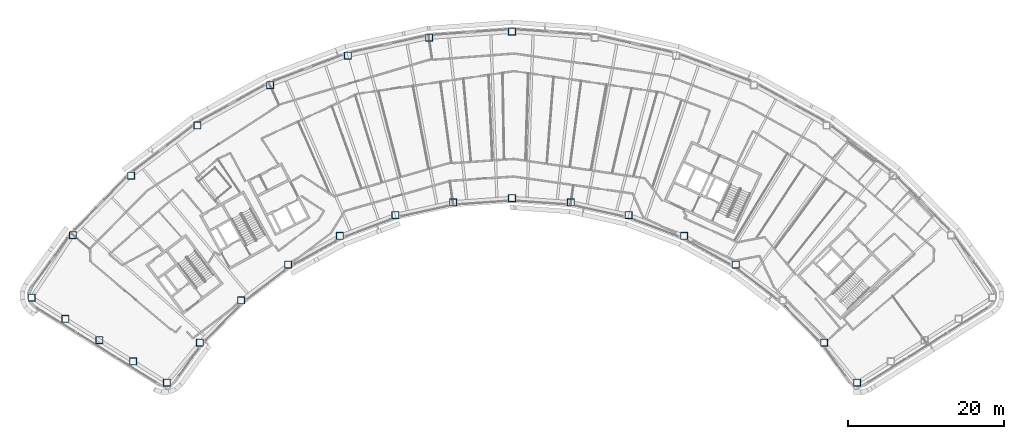
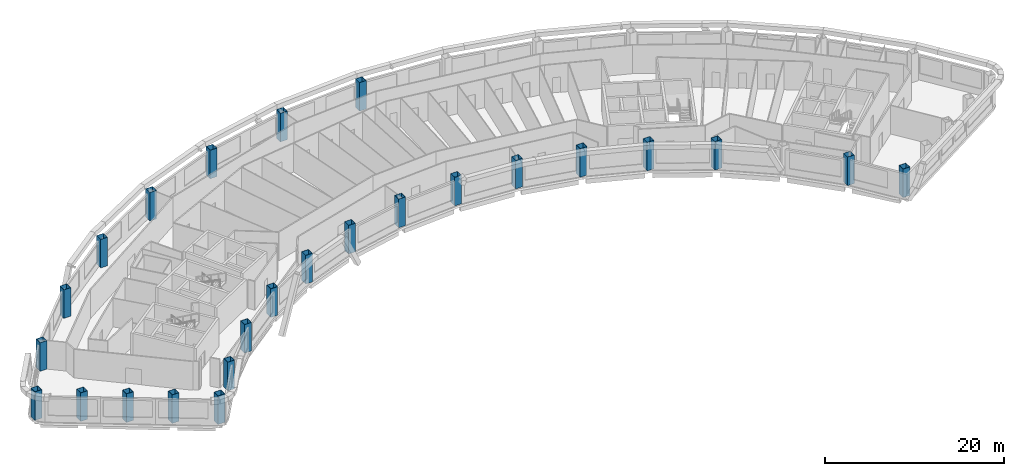
# One storey, part 1 of 17: 25 columns.
"""IFC4 building model written with IfcOpenShell, lengths in metres."""

import ifcopenshell
import ifcopenshell.guid

model = None  # the IFC model being written
_history = None  # IfcOwnerHistory: only IFC2X3 demands one
_inside = {}  # id of a spatial element -> (the spatial element, [elements in it])
_under = {}  # id of a project, library or spatial element -> (it, [spatial elements below it])
_declared = {}  # id of a project -> (the project, [libraries it declares])
_typed = {}  # id of a type object -> (the type object, [elements of that type])
_made_of = {}  # id of a material, layer set ... -> (it, [elements and type objects made of it])


def new_model(schema):
    """Start an empty IFC model of exactly this schema.

    Asked for "IFC4X3", IfcOpenShell would pick the latest addendum, in which some entities
    have other attributes; the version numbers below select the first issue.
    IFC2X3 requires an IfcOwnerHistory on every rooted entity: one is made here for all.
    """
    global model, _history
    if schema == "IFC4X3":
        model = ifcopenshell.file(schema_version=(4, 3, 0, 0))
    else:
        model = ifcopenshell.file(schema=schema)
    _inside.clear()
    _under.clear()
    _declared.clear()
    _typed.clear()
    _made_of.clear()
    _history = None
    if model.schema == "IFC2X3":
        org = make("IfcOrganization", Name="unknown")
        user = make(
            "IfcPersonAndOrganization",
            ThePerson=make("IfcPerson", FamilyName="unknown"),
            TheOrganization=org,
        )
        app = make(
            "IfcApplication",
            ApplicationDeveloper=org,
            Version="unknown",
            ApplicationFullName="unknown",
            ApplicationIdentifier="unknown",
        )
        _history = make(
            "IfcOwnerHistory",
            OwningUser=user,
            OwningApplication=app,
            ChangeAction="ADDED",
            CreationDate=0,
        )
    return model


def make(cls, **values):
    """One entity of the class cls with the attributes given. An attribute that is None is left unset."""
    return model.create_entity(
        cls, **{name: value for name, value in values.items() if value is not None}
    )


def rooted(cls, **values):
    """An entity with a GlobalId (a new one), such as an element, a storey or a relation."""
    return make(cls, GlobalId=ifcopenshell.guid.new(), OwnerHistory=_history, **values)


def si_unit(unit_type, name, prefix=None):
    """IfcSIUnit, for example si_unit("LENGTHUNIT", "METRE", prefix="MILLI")."""
    return make("IfcSIUnit", UnitType=unit_type, Prefix=prefix, Name=name)


def assignment(units):
    """IfcUnitAssignment: the units of a project."""
    return None if units is None else make("IfcUnitAssignment", Units=units)


def point(xyz):
    """IfcCartesianPoint."""
    return None if xyz is None else make("IfcCartesianPoint", Coordinates=xyz)


def direction(xyz):
    """IfcDirection."""
    return None if xyz is None else make("IfcDirection", DirectionRatios=xyz)


def frame(location, z_axis=None, x_axis=None):
    """IfcAxis2Placement3D, a coordinate frame: its origin and axes. An axis left out is left unset."""
    return make(
        "IfcAxis2Placement3D",
        Location=point(location),
        Axis=direction(z_axis),
        RefDirection=direction(x_axis),
    )


def frame_2d(location, x_axis=None):
    """IfcAxis2Placement2D, a coordinate frame in the plane: its origin and x axis."""
    return make(
        "IfcAxis2Placement2D", Location=point(location), RefDirection=direction(x_axis)
    )


def origin():
    """The frame at (0, 0, 0) with its axes left unset."""
    return frame((0.0, 0.0, 0.0))


def origin_2d():
    """The frame at (0, 0) in the plane with its x axis left unset."""
    return frame_2d((0.0, 0.0))


def place(relative_to, where):
    """IfcLocalPlacement: puts the frame where relative to a parent placement (None: the world)."""
    return make(
        "IfcLocalPlacement", PlacementRelTo=relative_to, RelativePlacement=where
    )


def context(
    kind, dimensions, precision=None, world=None, true_north=None, identifier=None
):
    """IfcGeometricRepresentationContext, for example the 3D "Model" context."""
    return make(
        "IfcGeometricRepresentationContext",
        ContextIdentifier=identifier,
        ContextType=kind,
        CoordinateSpaceDimension=dimensions,
        Precision=precision,
        WorldCoordinateSystem=world,
        TrueNorth=true_north,
    )


def subcontext(parent, identifier, kind, view, scale=None):
    """IfcGeometricRepresentationSubContext, for example "Body" below "Model"."""
    return make(
        "IfcGeometricRepresentationSubContext",
        ContextIdentifier=identifier,
        ContextType=kind,
        ParentContext=parent,
        TargetScale=scale,
        TargetView=view,
    )


def project(units=None, contexts=None):
    """IfcProject with its units and contexts."""
    return rooted(
        "IfcProject",
        Name="project",
        RepresentationContexts=contexts,
        UnitsInContext=assignment(units),
    )


def spatial(cls, under=None, at=None, **own):
    """A site, building, storey or space (cls), placed at a placement, below another one or the project."""
    s = rooted(cls, ObjectPlacement=at, **own)
    if under is not None:
        _under.setdefault(under.id(), (under, []))[1].append(s)
    return s


def profile(cls, at=None, kind="AREA", **sizes):
    """A parametric profile (cls). Its sizes go by their IFC names, for example OverallWidth=200.0."""
    return make(cls, ProfileType=kind, Position=at, **sizes)


def hollow_rectangle(**sizes):
    """IfcRectangleHollowProfileDef."""
    return profile("IfcRectangleHollowProfileDef", **sizes)


def extrude(swept, where, along, depth):
    """IfcExtrudedAreaSolid: the profile swept, set in the frame where, extruded along a direction by depth."""
    return make(
        "IfcExtrudedAreaSolid",
        SweptArea=swept,
        Position=where,
        ExtrudedDirection=direction(along),
        Depth=depth,
    )


def shape(context_of_items, identifier, shape_type, items):
    """IfcShapeRepresentation: the items that make up one representation, for example the "Body"."""
    return make(
        "IfcShapeRepresentation",
        ContextOfItems=context_of_items,
        RepresentationIdentifier=identifier,
        RepresentationType=shape_type,
        Items=items,
    )


def material(Name=None, Category=None):
    """IfcMaterial."""
    return make("IfcMaterial", Name=Name, Category=Category)


def material_profile(
    of_material, cross_section, Name=None, Category=None, Priority=None
):
    """IfcMaterialProfile: a cross section and its material."""
    return make(
        "IfcMaterialProfile",
        Name=Name,
        Material=of_material,
        Profile=cross_section,
        Priority=Priority,
        Category=Category,
    )


def profile_set(profiles, Name=None, composite=None):
    """IfcMaterialProfileSet."""
    return make(
        "IfcMaterialProfileSet",
        Name=Name,
        MaterialProfiles=profiles,
        CompositeProfile=composite,
    )


def made_of(thing, what):
    """Note that an element or type object is made of a material, layer set ...; save() writes the relation."""
    if what is not None:
        _made_of.setdefault(what.id(), (what, []))[1].append(thing)
    return thing


def type_object(cls, material=None, **own):
    """A type object (cls), such as IfcWallType, which elements share."""
    return made_of(rooted(cls, **own), material)


def element(
    cls,
    number,
    at=None,
    inside=None,
    cuts=None,
    type_object=None,
    material=None,
    context=None,
    identifier="Body",
    shape_type=None,
    held_by="IfcProductDefinitionShape",
    body=None,
    shapes=None,
    **own,
):
    """One element of the class cls, such as IfcWall. Its Tag is "e" and its number.

    at: its placement. inside: the storey or other place that contains it. cuts: it is an
    opening in that element (IfcRelVoidsElement). A single representation is given by context,
    identifier, shape_type and body (its items); several are given by shapes. held_by: the class
    of the entity that holds the representations. save() writes the other relations.
    """
    e = rooted(cls, Tag="e%d" % number, ObjectPlacement=at, **own)
    if body is not None:
        shapes = [shape(context, identifier, shape_type, body)]
    if shapes is not None:
        e.Representation = make(held_by, Representations=shapes)
    if inside is not None:
        _inside.setdefault(inside.id(), (inside, []))[1].append(e)
    if cuts is not None:
        rooted(
            "IfcRelVoidsElement", RelatingBuildingElement=cuts, RelatedOpeningElement=e
        )
    if type_object is not None:
        _typed.setdefault(type_object.id(), (type_object, []))[1].append(e)
    return made_of(e, material)


def aggregate(whole, parts):
    """IfcRelAggregates: a whole, such as a stair, and the parts it consists of."""
    return rooted("IfcRelAggregates", RelatingObject=whole, RelatedObjects=parts)


def save(model, path):
    """Write the relations noted so far, then the file.

    IfcRelAggregates (storeys below a building ...), IfcRelContainedInSpatialStructure (elements
    in a storey), IfcRelDefinesByType, IfcRelAssociatesMaterial and IfcRelDeclares: one each for
    every whole, place, type object, material and project.
    """
    for whole, parts in _under.values():
        aggregate(whole, parts)
    for where, things in _inside.values():
        rooted(
            "IfcRelContainedInSpatialStructure",
            RelatedElements=things,
            RelatingStructure=where,
        )
    for kind, things in _typed.values():
        rooted("IfcRelDefinesByType", RelatedObjects=things, RelatingType=kind)
    for what, things in _made_of.values():
        rooted("IfcRelAssociatesMaterial", RelatedObjects=things, RelatingMaterial=what)
    for by, libraries in _declared.values():
        rooted("IfcRelDeclares", RelatingContext=by, RelatedDefinitions=libraries)
    model.write(path)


model = new_model("IFC4")

# Units and contexts
model_context = context("Model", 3, precision=1e-05, world=origin(), true_north=direction((0.0, 1.0)))
body_context = subcontext(model_context, "Body", "Model", "MODEL_VIEW")
ifc_project = project(units=[si_unit("LENGTHUNIT", "METRE"), si_unit("AREAUNIT", "SQUARE_METRE"), si_unit("VOLUMEUNIT", "CUBIC_METRE"), si_unit("PLANEANGLEUNIT", "RADIAN"), si_unit("MASSUNIT", "GRAM", prefix="KILO")], contexts=[model_context])

# Site, building, storey
site_placement = place(None, origin())
site = spatial("IfcSite", under=ifc_project, at=site_placement, CompositionType="ELEMENT")
building_placement = place(site_placement, origin())
building = spatial("IfcBuilding", under=site, at=building_placement, Name="Tuul Gate Civic Tower", CompositionType="ELEMENT")
storey_placement = place(building_placement, frame((0.0, 0.0, 222.10009765625)))
storey = spatial("IfcBuildingStorey", under=building, at=storey_placement, Name="Level 50", CompositionType="ELEMENT", Elevation=222.10009765625)

# Columns
ifc_material = material(Name="Steel S355", Category="steel")
ifc_material_profile = material_profile(ifc_material, hollow_rectangle(XDim=0.89990234375, YDim=0.89990234375, WallThickness=0.031982421875, at=origin_2d()), Name="BOX900x900x32")
ifc_profile_set = profile_set([ifc_material_profile], Name="Steel S355")
column_type = type_object("IfcColumnType", Name="STR-COLUMN-BOX900x900x32", PredefinedType="COLUMN", material=ifc_profile_set)
for number, where, z_axis, x_axis, name in (
    (1, (5.93994140625, 18.56494140625, 0.0), (0.0, 0.0, 1.0), (1.0, 0.0, 0.0), "Column"),
    (2, (-4.7099609375, 17.7939453125, 0.0), (0.0, 0.0, 1.0), (1.0, 0.0, 0.0), "Column"),
    (3, (-15.136962890625, 15.49609375, 0.0), (0.0, 0.0, 1.0), (1.0, 0.0, 0.0), "Column"),
    (4, (-25.1240234375, 11.718994140625, 0.0), (0.0, 0.0, 1.0), (1.0, 0.0, 0.0), "Column"),
    (5, (-34.462890625, 6.54296875, 0.0), (0.0, 0.0, 1.0), (1.0, 0.0, 0.0), "Column"),
    (6, (-42.9580078125, 0.074951171875, 0.0), (0.0, 0.0, 1.0), (1.0, 0.0, 0.0), "Column"),
    (7, (-50.431884765625, -7.550048828125, 0.0), (0.0, 0.0, 1.0), (1.0, 0.0, 0.0), "Column"),
    (8, (-55.73095703125, -15.56298828125, 0.0), (0.0, 0.0, 1.0), (1.0, 0.0, 0.0), "Column"),
    (9, (-51.388916015625, -18.297119140625, 0.0), (0.0, 0.0, 1.0), (1.0, 0.0, 0.0), "Column"),
    (10, (-47.0458984375, -21.031982421875, 0.0), (0.0, 0.0, 1.0), (1.0, 0.0, 0.0), "Column"),
    (11, (-42.7041015625, -23.76708984375, 0.0), (0.0, 0.0, 1.0), (1.0, 0.0, 0.0), "Column"),
    (12, (-38.361083984375, -26.5009765625, 0.0), (0.0, 0.0, 1.0), (1.0, 0.0, 0.0), "Column"),
    (13, (-34.14111328125, -21.35888671875, 0.0), (0.0, 0.0, 1.0), (1.0, 0.0, 0.0), "Column"),
    (14, (-28.826904296875, -15.93798828125, 0.0), (0.0, 0.0, 1.0), (1.0, 0.0, 0.0), "Column"),
    (15, (-22.787109375, -11.339111328125, 0.0), (0.0, 0.0, 1.0), (1.0, 0.0, 0.0), "Column"),
    (16, (-16.14697265625, -7.657958984375, 0.0), (0.0, 0.0, 1.0), (1.0, 0.0, 0.0), "Column"),
    (17, (-9.0458984375, -4.972900390625, 0.0), (0.0, 0.0, 1.0), (1.0, 0.0, 0.0), "Column"),
    (18, (-1.632080078125, -3.339111328125, 0.0), (0.0, 0.0, 1.0), (1.0, 0.0, 0.0), "Column"),
    (19, (5.93994140625, -2.7900390625, 0.0), (0.0, 0.0, 1.0), (1.0, 0.0, 0.0), "Column"),
    (20, (13.511962890625, -3.339111328125, 0.0), (0.0, 0.0, 1.0), (1.0, 0.0, 0.0), "Column"),
    (21, (20.925048828125, -4.972900390625, 0.0), (0.0, 0.0, 1.0), (1.0, 0.0, 0.0), "Column"),
    (22, (28.02587890625, -7.657958984375, 0.0), (0.0, 0.0, 1.0), (1.0, 0.0, 0.0), "Column"),
    (23, (34.666015625, -11.339111328125, 0.0), (0.0, 0.0, 1.0), (1.0, 0.0, 0.0), "Column"),
    (24, (46.02099609375, -21.35888671875, 0.0), (0.0, 0.0, 1.0), (1.0, 0.0, 0.0), "Column"),
    (25, (50.240966796875, -26.5009765625, 0.0), (0.0, 0.0, 1.0), (1.0, 0.0, 0.0), "Column"),
):
    element("IfcColumn", number, at=place(storey_placement, frame(where, z_axis=z_axis, x_axis=x_axis)), inside=storey, type_object=column_type, Name=name, PredefinedType="COLUMN", context=body_context, shape_type="SweptSolid", body=[
        extrude(hollow_rectangle(XDim=0.89990234375, YDim=0.89990234375, WallThickness=0.031982421875, at=origin_2d()), origin(), (0.0, 0.0, 1.0), 3.89990234375),
    ])

save(model, "model.ifc")
